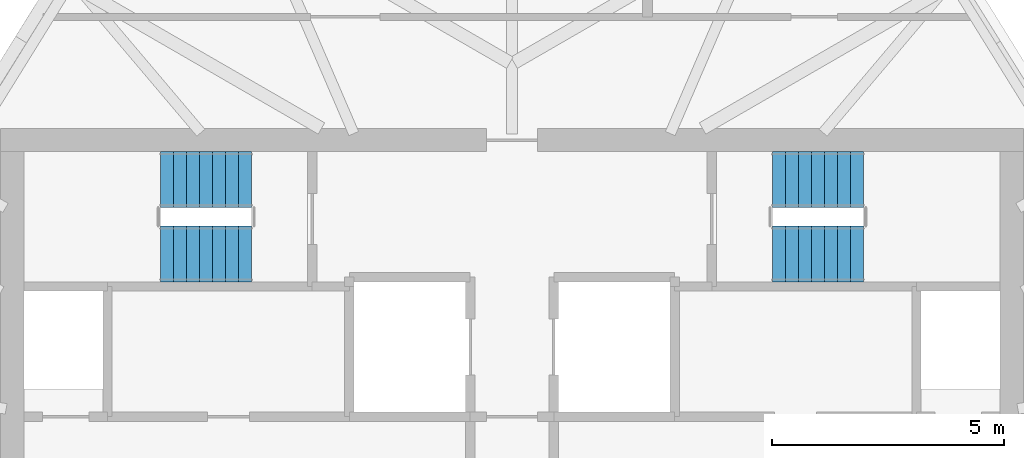
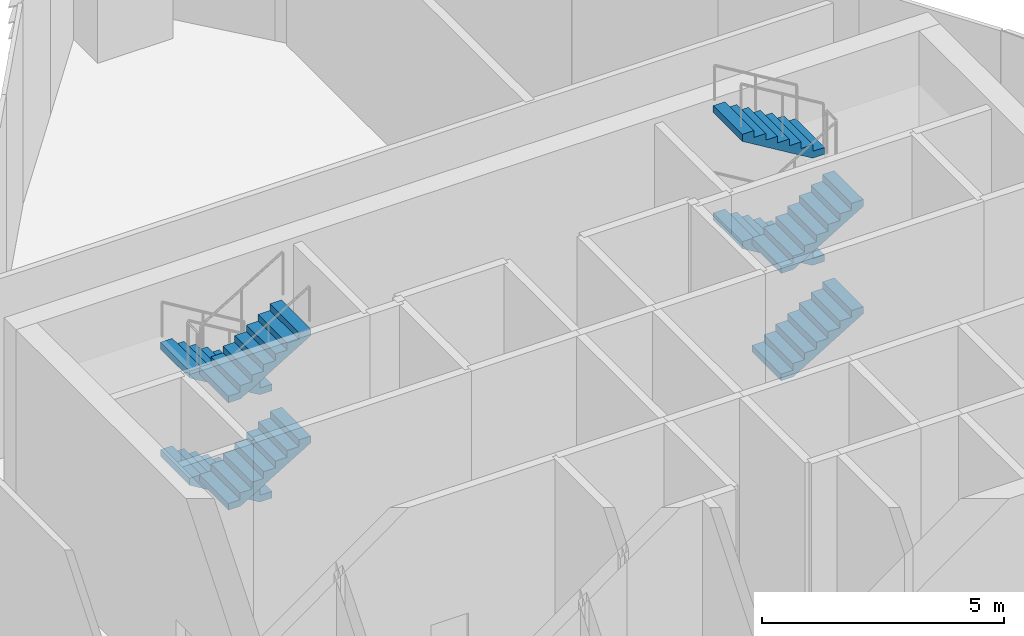
# One storey, part 5 of 8: 8 stair flights, 2 elements without a shape of their own.
"""IFC4 building model written with IfcOpenShell, lengths in metres."""

from ifc_helpers import new_model, si_unit, direction, frame, origin, place, context, subcontext, project, spatial, polyline, outline, extrude, material, type_object, element, aggregate, save


model = new_model("IFC4")

# Units and contexts
model_context = context("Model", 3, precision=1e-05, world=origin(), true_north=direction((0.0, 1.0)))
body_context = subcontext(model_context, "Body", "Model", "MODEL_VIEW")
ifc_project = project(units=[si_unit("LENGTHUNIT", "METRE"), si_unit("AREAUNIT", "SQUARE_METRE"), si_unit("VOLUMEUNIT", "CUBIC_METRE"), si_unit("PLANEANGLEUNIT", "RADIAN"), si_unit("MASSUNIT", "GRAM", prefix="KILO")], contexts=[model_context])

# Site, building, storey
site_placement = place(None, origin())
site = spatial("IfcSite", under=ifc_project, at=site_placement, CompositionType="ELEMENT")
building_placement = place(site_placement, origin())
building = spatial("IfcBuilding", under=site, at=building_placement, Name="Sierra Prisma Convention Tower", CompositionType="ELEMENT")
storey_placement = place(building_placement, frame((0.0, 0.0, 350.199951171875)))
storey = spatial("IfcBuildingStorey", under=building, at=storey_placement, Name="L78", CompositionType="ELEMENT", Elevation=350.199951171875)

# Stair, stair flights
ifc_material_1 = material(Name="Concrete C30/37", Category="concrete")
stair_type = type_object("IfcStairType", Name="Stair dog-leg 1200 RC", PredefinedType="HALF_TURN_STAIR", material=ifc_material_1)
stair_1_placement = place(storey_placement, origin())
stair_1 = element("IfcStair", 1, at=stair_1_placement, inside=storey, type_object=stair_type, Name="L78 S3", PredefinedType="HALF_TURN_STAIR")
ifc_material_2 = material(Name="Concrete C30/37", Category="concrete")
stair_flight_type = type_object("IfcStairFlightType", Name="Stair flight RC 1200", PredefinedType="STRAIGHT", material=ifc_material_2)
stair_flight_1_placement = place(storey_placement, frame((-5.60009765625, 6.89990234375, 0.0), z_axis=(0.0, 0.0, 1.0), x_axis=(-1.0, 0.0, 0.0)))
stair_flight_1 = element("IfcStairFlight", 2, at=stair_flight_1_placement, type_object=stair_flight_type, Name="S3 flight 1", NumberOfRisers=8, NumberOfTreads=7, PredefinedType="STRAIGHT", RiserHeight=0.16875, TreadLength=0.28, context=body_context, shape_type="SweptSolid", body=[
    extrude(outline(polyline([(0.0, 0.0), (0.0, 0.168701171875), (0.280029296875, 0.168701171875), (0.280029296875, 0.33740234375), (0.56005859375, 0.33740234375), (0.56005859375, 0.50634765625), (0.840087890625, 0.50634765625), (0.840087890625, 0.675048828125), (1.1201171875, 0.675048828125), (1.1201171875, 0.84375), (1.39990234375, 0.84375), (1.39990234375, 1.012451171875), (1.679931640625, 1.012451171875), (1.679931640625, 1.18115234375), (1.9599609375, 1.18115234375), (1.9599609375, 1.35009765625), (1.9599609375, 1.00634765625), (0.29052734375, 0.0), (0.0, 0.0)])), frame((0.0, 0.60009765625, 0.0), z_axis=(0.0, -1.0, 0.0), x_axis=(1.0, 0.0, 0.0)), (0.0, 0.0, 1.0), 1.199951171875),
])
stair_flight_2_placement = place(storey_placement, frame((-7.56005859375, 5.300048828125, 1.35009765625), z_axis=(0.0, 0.0, 1.0), x_axis=(1.0, 0.0, 0.0)))
stair_flight_2 = element("IfcStairFlight", 3, at=stair_flight_2_placement, type_object=stair_flight_type, Name="S3 flight 2", NumberOfRisers=8, NumberOfTreads=7, PredefinedType="STRAIGHT", RiserHeight=0.16875, TreadLength=0.28, context=body_context, shape_type="SweptSolid", body=[
    extrude(outline(polyline([(0.0, 0.0), (0.0, 0.168701171875), (0.280029296875, 0.168701171875), (0.280029296875, 0.33740234375), (0.56005859375, 0.33740234375), (0.56005859375, 0.50634765625), (0.840087890625, 0.50634765625), (0.840087890625, 0.675048828125), (1.1201171875, 0.675048828125), (1.1201171875, 0.84375), (1.39990234375, 0.84375), (1.39990234375, 1.012451171875), (1.679931640625, 1.012451171875), (1.679931640625, 1.18115234375), (1.9599609375, 1.18115234375), (1.9599609375, 1.35009765625), (1.9599609375, 1.00634765625), (0.29052734375, 0.0), (0.0, 0.0)])), frame((0.0, 0.60009765625, 0.0), z_axis=(0.0, -1.0, 0.0), x_axis=(1.0, 0.0, 0.0)), (0.0, 0.0, 1.0), 1.199951171875),
])
stair_flight_3_placement = place(storey_placement, frame((-5.60009765625, 6.89990234375, 2.699951171875), z_axis=(0.0, 0.0, 1.0), x_axis=(-1.0, 0.0, 0.0)))
stair_flight_3 = element("IfcStairFlight", 4, at=stair_flight_3_placement, type_object=stair_flight_type, Name="S3 flight 3", NumberOfRisers=8, NumberOfTreads=7, PredefinedType="STRAIGHT", RiserHeight=0.16875, TreadLength=0.28, context=body_context, shape_type="SweptSolid", body=[
    extrude(outline(polyline([(0.0, 0.0), (0.0, 0.168701171875), (0.280029296875, 0.168701171875), (0.280029296875, 0.33740234375), (0.56005859375, 0.33740234375), (0.56005859375, 0.50634765625), (0.840087890625, 0.50634765625), (0.840087890625, 0.675048828125), (1.1201171875, 0.675048828125), (1.1201171875, 0.84375), (1.39990234375, 0.84375), (1.39990234375, 1.012451171875), (1.679931640625, 1.012451171875), (1.679931640625, 1.18115234375), (1.9599609375, 1.18115234375), (1.9599609375, 1.35009765625), (1.9599609375, 1.00634765625), (0.29052734375, 0.0), (0.0, 0.0)])), frame((0.0, 0.60009765625, 0.0), z_axis=(0.0, -1.0, 0.0), x_axis=(1.0, 0.0, 0.0)), (0.0, 0.0, 1.0), 1.199951171875),
])
stair_flight_4_placement = place(storey_placement, frame((-7.56005859375, 5.300048828125, 4.050048828125), z_axis=(0.0, 0.0, 1.0), x_axis=(1.0, 0.0, 0.0)))
stair_flight_4 = element("IfcStairFlight", 5, at=stair_flight_4_placement, type_object=stair_flight_type, Name="S3 flight 4", NumberOfRisers=8, NumberOfTreads=7, PredefinedType="STRAIGHT", RiserHeight=0.16875, TreadLength=0.28, context=body_context, shape_type="SweptSolid", body=[
    extrude(outline(polyline([(0.0, 0.0), (0.0, 0.168701171875), (0.280029296875, 0.168701171875), (0.280029296875, 0.33740234375), (0.56005859375, 0.33740234375), (0.56005859375, 0.50634765625), (0.840087890625, 0.50634765625), (0.840087890625, 0.675048828125), (1.1201171875, 0.675048828125), (1.1201171875, 0.84375), (1.39990234375, 0.84375), (1.39990234375, 1.012451171875), (1.679931640625, 1.012451171875), (1.679931640625, 1.18115234375), (1.9599609375, 1.18115234375), (1.9599609375, 1.35009765625), (1.9599609375, 1.00634765625), (0.29052734375, 0.0), (0.0, 0.0)])), frame((0.0, 0.60009765625, 0.0), z_axis=(0.0, -1.0, 0.0), x_axis=(1.0, 0.0, 0.0)), (0.0, 0.0, 1.0), 1.199951171875),
])
aggregate(stair_1, [stair_flight_1, stair_flight_2, stair_flight_3, stair_flight_4])

stair_2_placement = place(storey_placement, origin())
stair_2 = element("IfcStair", 6, at=stair_2_placement, inside=storey, type_object=stair_type, Name="L78 S4", PredefinedType="HALF_TURN_STAIR")
stair_flight_5_placement = place(storey_placement, frame((5.60009765625, 5.300048828125, 0.0), z_axis=(0.0, 0.0, 1.0), x_axis=(1.0, 0.0, 0.0)))
stair_flight_5 = element("IfcStairFlight", 7, at=stair_flight_5_placement, type_object=stair_flight_type, Name="S4 flight 1", NumberOfRisers=8, NumberOfTreads=7, PredefinedType="STRAIGHT", RiserHeight=0.16875, TreadLength=0.28, context=body_context, shape_type="SweptSolid", body=[
    extrude(outline(polyline([(0.0, 0.0), (0.0, 0.168701171875), (0.280029296875, 0.168701171875), (0.280029296875, 0.33740234375), (0.56005859375, 0.33740234375), (0.56005859375, 0.50634765625), (0.840087890625, 0.50634765625), (0.840087890625, 0.675048828125), (1.1201171875, 0.675048828125), (1.1201171875, 0.84375), (1.39990234375, 0.84375), (1.39990234375, 1.012451171875), (1.679931640625, 1.012451171875), (1.679931640625, 1.18115234375), (1.9599609375, 1.18115234375), (1.9599609375, 1.35009765625), (1.9599609375, 1.00634765625), (0.29052734375, 0.0), (0.0, 0.0)])), frame((0.0, 0.60009765625, 0.0), z_axis=(0.0, -1.0, 0.0), x_axis=(1.0, 0.0, 0.0)), (0.0, 0.0, 1.0), 1.199951171875),
])
stair_flight_6_placement = place(storey_placement, frame((7.56005859375, 6.89990234375, 1.35009765625), z_axis=(0.0, 0.0, 1.0), x_axis=(-1.0, 0.0, 0.0)))
stair_flight_6 = element("IfcStairFlight", 8, at=stair_flight_6_placement, type_object=stair_flight_type, Name="S4 flight 2", NumberOfRisers=8, NumberOfTreads=7, PredefinedType="STRAIGHT", RiserHeight=0.16875, TreadLength=0.28, context=body_context, shape_type="SweptSolid", body=[
    extrude(outline(polyline([(0.0, 0.0), (0.0, 0.168701171875), (0.280029296875, 0.168701171875), (0.280029296875, 0.33740234375), (0.56005859375, 0.33740234375), (0.56005859375, 0.50634765625), (0.840087890625, 0.50634765625), (0.840087890625, 0.675048828125), (1.1201171875, 0.675048828125), (1.1201171875, 0.84375), (1.39990234375, 0.84375), (1.39990234375, 1.012451171875), (1.679931640625, 1.012451171875), (1.679931640625, 1.18115234375), (1.9599609375, 1.18115234375), (1.9599609375, 1.35009765625), (1.9599609375, 1.00634765625), (0.29052734375, 0.0), (0.0, 0.0)])), frame((0.0, 0.60009765625, 0.0), z_axis=(0.0, -1.0, 0.0), x_axis=(1.0, 0.0, 0.0)), (0.0, 0.0, 1.0), 1.199951171875),
])
stair_flight_7_placement = place(storey_placement, frame((5.60009765625, 5.300048828125, 2.699951171875), z_axis=(0.0, 0.0, 1.0), x_axis=(1.0, 0.0, 0.0)))
stair_flight_7 = element("IfcStairFlight", 9, at=stair_flight_7_placement, type_object=stair_flight_type, Name="S4 flight 3", NumberOfRisers=8, NumberOfTreads=7, PredefinedType="STRAIGHT", RiserHeight=0.16875, TreadLength=0.28, context=body_context, shape_type="SweptSolid", body=[
    extrude(outline(polyline([(0.0, 0.0), (0.0, 0.168701171875), (0.280029296875, 0.168701171875), (0.280029296875, 0.33740234375), (0.56005859375, 0.33740234375), (0.56005859375, 0.50634765625), (0.840087890625, 0.50634765625), (0.840087890625, 0.675048828125), (1.1201171875, 0.675048828125), (1.1201171875, 0.84375), (1.39990234375, 0.84375), (1.39990234375, 1.012451171875), (1.679931640625, 1.012451171875), (1.679931640625, 1.18115234375), (1.9599609375, 1.18115234375), (1.9599609375, 1.35009765625), (1.9599609375, 1.00634765625), (0.29052734375, 0.0), (0.0, 0.0)])), frame((0.0, 0.60009765625, 0.0), z_axis=(0.0, -1.0, 0.0), x_axis=(1.0, 0.0, 0.0)), (0.0, 0.0, 1.0), 1.199951171875),
])
stair_flight_8_placement = place(storey_placement, frame((7.56005859375, 6.89990234375, 4.050048828125), z_axis=(0.0, 0.0, 1.0), x_axis=(-1.0, 0.0, 0.0)))
stair_flight_8 = element("IfcStairFlight", 10, at=stair_flight_8_placement, type_object=stair_flight_type, Name="S4 flight 4", NumberOfRisers=8, NumberOfTreads=7, PredefinedType="STRAIGHT", RiserHeight=0.16875, TreadLength=0.28, context=body_context, shape_type="SweptSolid", body=[
    extrude(outline(polyline([(0.0, 0.0), (0.0, 0.168701171875), (0.280029296875, 0.168701171875), (0.280029296875, 0.33740234375), (0.56005859375, 0.33740234375), (0.56005859375, 0.50634765625), (0.840087890625, 0.50634765625), (0.840087890625, 0.675048828125), (1.1201171875, 0.675048828125), (1.1201171875, 0.84375), (1.39990234375, 0.84375), (1.39990234375, 1.012451171875), (1.679931640625, 1.012451171875), (1.679931640625, 1.18115234375), (1.9599609375, 1.18115234375), (1.9599609375, 1.35009765625), (1.9599609375, 1.00634765625), (0.29052734375, 0.0), (0.0, 0.0)])), frame((0.0, 0.60009765625, 0.0), z_axis=(0.0, -1.0, 0.0), x_axis=(1.0, 0.0, 0.0)), (0.0, 0.0, 1.0), 1.199951171875),
])
aggregate(stair_2, [stair_flight_5, stair_flight_6, stair_flight_7, stair_flight_8])

save(model, "model.ifc")
